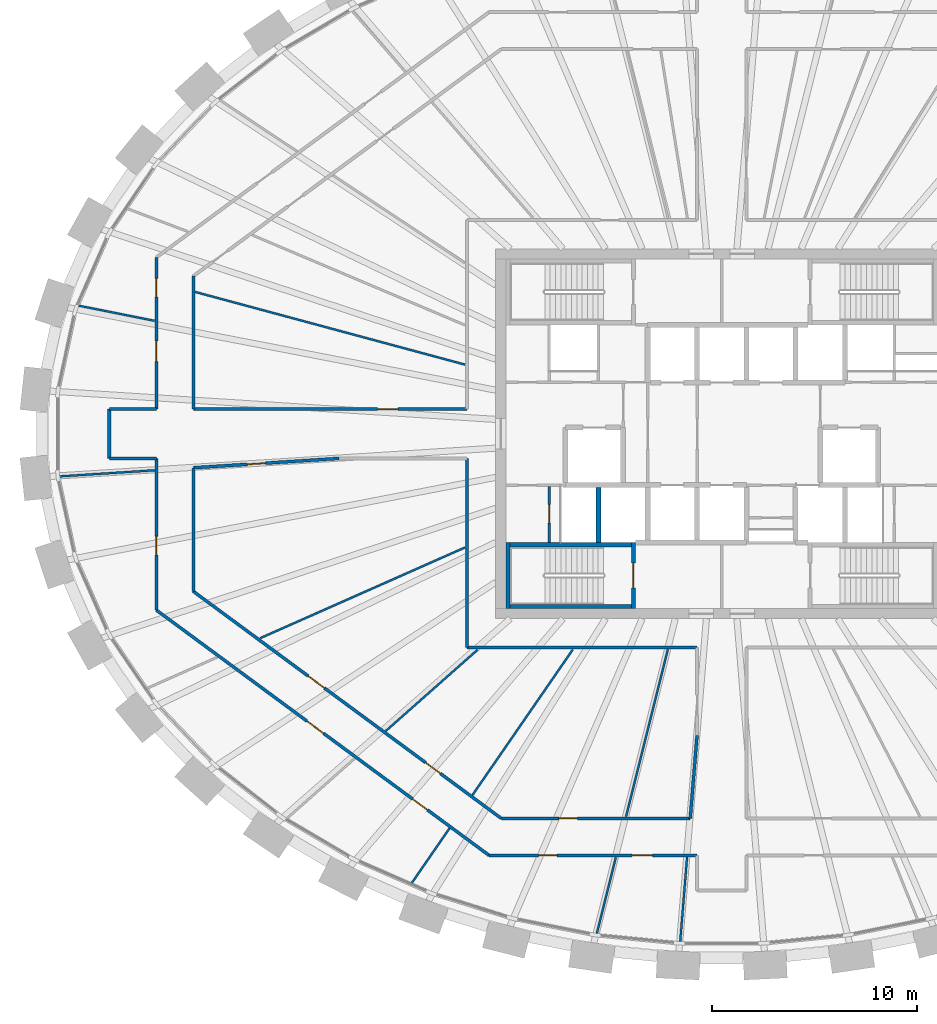
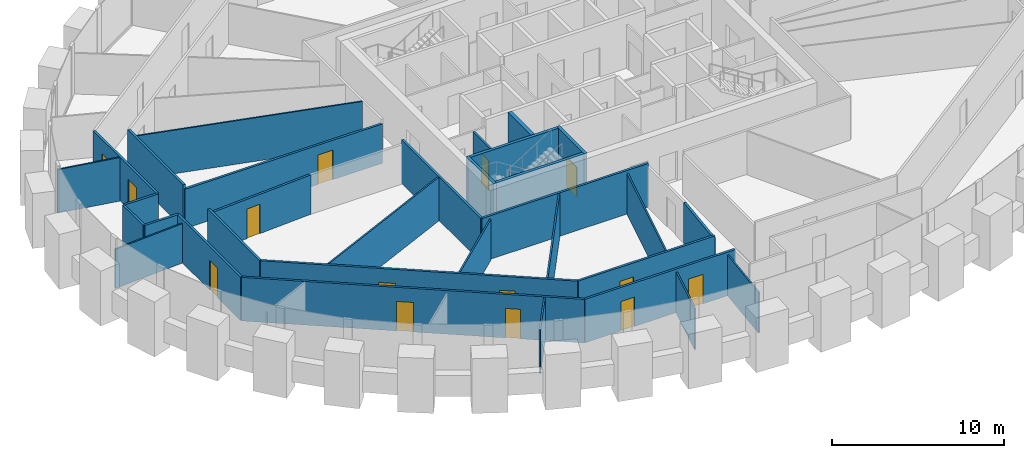
# One storey, part 6 of 12: 32 walls, 14 doors, 14 openings.
"""IFC4 building model written with IfcOpenShell, lengths in metres."""

from ifc_helpers import new_model, si_unit, direction, frame, frame_2d, origin, place, context, subcontext, project, spatial, rectangle, extrude, source, transform, mapped, material, layer, layer_set, type_object, element, fill, save


model = new_model("IFC4")

# Units and contexts
model_context = context("Model", 3, precision=1e-05, world=origin(), true_north=direction((0.0, 1.0)))
body_context = subcontext(model_context, "Body", "Model", "MODEL_VIEW")
ifc_project = project(units=[si_unit("LENGTHUNIT", "METRE"), si_unit("AREAUNIT", "SQUARE_METRE"), si_unit("VOLUMEUNIT", "CUBIC_METRE"), si_unit("PLANEANGLEUNIT", "RADIAN"), si_unit("MASSUNIT", "GRAM", prefix="KILO")], contexts=[model_context])

# Site, building, storey
site_placement = place(None, origin())
site = spatial("IfcSite", under=ifc_project, at=site_placement, CompositionType="ELEMENT")
building_placement = place(site_placement, origin())
building = spatial("IfcBuilding", under=site, at=building_placement, Name="Embergate Tower", CompositionType="ELEMENT")
storey_placement = place(building_placement, frame((0.0, 0.0, 250.0)))
storey = spatial("IfcBuildingStorey", under=building, at=storey_placement, Name="L57", CompositionType="ELEMENT", Elevation=250.0)

# Walls
ifc_material_1 = material(Name="Concrete C50", Category="concrete")
ifc_layer_1 = layer(ifc_material_1, 0.25)
ifc_layer_set_1 = layer_set([ifc_layer_1], Name="Concrete C50")
wall_type_1 = type_object("IfcWallType", Name="Hoistway wall reinforced concrete 250", PredefinedType="SHEAR", material=ifc_layer_set_1)
shared_shape_1 = source(origin(), body_context, "Body", "SweptSolid", [
    extrude(rectangle(XDim=2.675048828125, YDim=0.25, at=frame_2d((1.33740234375, 0.0))), origin(), (0.0, 0.0, 1.0), 3.699951171875),
])
wall_1_placement = place(storey_placement, frame((-6.0, -5.300048828125, 0.0), z_axis=(0.0, 0.0, 1.0), x_axis=(0.0, 1.0, 0.0)))
element("IfcWall", 1, at=wall_1_placement, inside=storey, type_object=wall_type_1, Name="HW-1 wall", PredefinedType="SHEAR", context=body_context, shape_type="MappedRepresentation", body=[
    mapped(shared_shape_1, transform((0.0, 0.0, 0.0))),
])
ifc_layer_2 = layer(ifc_material_1, 0.199951171875)
ifc_layer_set_2 = layer_set([ifc_layer_2], Name="Concrete C50")
wall_type_2 = type_object("IfcWallType", Name="Stair enclosure wall reinforced concrete 250", PredefinedType="SHEAR", material=ifc_layer_set_2)
shared_shape_2 = source(origin(), body_context, "Body", "SweptSolid", [
    extrude(rectangle(XDim=6.300048828125, YDim=0.199951171875, at=frame_2d((3.14990234375, 0.0))), origin(), (0.0, 0.0, 1.0), 3.699951171875),
])
wall_2_placement = place(storey_placement, frame((-10.5, -5.39990234375, 0.0), z_axis=(0.0, 0.0, 1.0), x_axis=(1.0, 0.0, 0.0)))
element("IfcWall", 2, at=wall_2_placement, inside=storey, type_object=wall_type_2, Name="SE-1 wall", PredefinedType="SHEAR", context=body_context, shape_type="MappedRepresentation", body=[
    mapped(shared_shape_2, transform((0.0, 0.0, 0.0))),
])

# Wall, opening, door
ifc_material_2 = material(Name="Core partition blockwork 120")
ifc_layer_3 = layer(ifc_material_2, 0.1201171875)
ifc_layer_set_3 = layer_set([ifc_layer_3], Name="Core partition blockwork 120")
wall_type_3 = type_object("IfcWallType", Name="Core partition blockwork 120", PredefinedType="PARTITIONING", material=ifc_layer_set_3)
shared_shape_3 = source(origin(), body_context, "Body", "SweptSolid", [
    extrude(rectangle(XDim=2.739990234375, YDim=0.1201171875, at=frame_2d((1.3701171875, 0.0))), origin(), (0.0, 0.0, 1.0), 3.10009765625),
])
wall_3_placement = place(storey_placement, frame((-8.39990234375, -2.56005859375, 0.0), z_axis=(0.0, 0.0, 1.0), x_axis=(0.0, -1.0, 0.0)))
wall_3 = element("IfcWall", 3, at=wall_3_placement, inside=storey, type_object=wall_type_3, Name="IP-3 wall", PredefinedType="PARTITIONING", context=body_context, shape_type="MappedRepresentation", body=[
    mapped(shared_shape_3, transform((0.0, 0.0, 0.0))),
])
shared_shape_4 = source(origin(), body_context, "Body", "SweptSolid", [
    extrude(rectangle(XDim=0.89990234375, YDim=2.10009765625, at=frame_2d((0.449951171875, 1.050048828125))), frame((0.0, 0.070068359375, 0.0), z_axis=(0.0, -1.0, 0.0), x_axis=(1.0, 0.0, 0.0)), (0.0, 0.0, 1.0), 0.14013671875),
])
opening_1_placement = place(wall_3_placement, frame((0.889892578125, 0.0, 0.0)))
opening_1 = element("IfcOpeningElement", 4, at=opening_1_placement, cuts=wall_3, Name="Opening ID-1", PredefinedType="OPENING", context=body_context, shape_type="MappedRepresentation", body=[
    mapped(shared_shape_4, transform((0.0, 0.0, 0.0))),
])
ifc_material_3 = material(Name="Interior door 900")
door_type_1 = type_object("IfcDoorType", Name="Interior door 900", OperationType="SINGLE_SWING_LEFT", PredefinedType="DOOR", material=ifc_material_3)
shared_shape_5 = source(origin(), body_context, "Body", "SweptSolid", [
    extrude(rectangle(XDim=0.89990234375, YDim=2.10009765625, at=frame_2d((0.449951171875, 1.050048828125))), frame((0.0, 0.02490234375, 0.0), z_axis=(0.0, -1.0, 0.0), x_axis=(1.0, 0.0, 0.0)), (0.0, 0.0, 1.0), 0.050048828125),
])
door_1_placement = place(opening_1_placement, origin())
door_1 = element("IfcDoor", 5, at=door_1_placement, inside=storey, type_object=door_type_1, Name="ID-1 door", OperationType="SINGLE_SWING_LEFT", OverallHeight=2.10009765625, OverallWidth=0.89990234375, PredefinedType="DOOR", context=body_context, shape_type="MappedRepresentation", body=[
    mapped(shared_shape_5, transform((0.0, 0.0, 0.0))),
])
fill(opening_1, door_1)

shared_shape_6 = source(origin(), body_context, "Body", "SweptSolid", [
    extrude(rectangle(XDim=3.199951171875, YDim=0.199951171875, at=frame_2d((1.60009765625, 0.0))), origin(), (0.0, 0.0, 1.0), 3.699951171875),
])
wall_4_placement = place(storey_placement, frame((-4.300048828125, -8.5, 0.0), z_axis=(0.0, 0.0, 1.0), x_axis=(0.0, 1.0, 0.0)))
wall_4 = element("IfcWall", 6, at=wall_4_placement, inside=storey, type_object=wall_type_2, Name="SE-1 wall", PredefinedType="SHEAR", context=body_context, shape_type="MappedRepresentation", body=[
    mapped(shared_shape_6, transform((0.0, 0.0, 0.0))),
])
shared_shape_7 = source(origin(), body_context, "Body", "SweptSolid", [
    extrude(rectangle(XDim=1.199951171875, YDim=2.10009765625, at=frame_2d((0.60009765625, 1.050048828125))), frame((0.0, 0.10986328125, 0.0), z_axis=(0.0, -1.0, 0.0), x_axis=(1.0, 0.0, 0.0)), (0.0, 0.0, 1.0), 0.219970703125),
])
opening_2_placement = place(wall_4_placement, frame((1.0, 0.0, 0.0)))
opening_2 = element("IfcOpeningElement", 7, at=opening_2_placement, cuts=wall_4, Name="Opening IF-2", PredefinedType="OPENING", context=body_context, shape_type="MappedRepresentation", body=[
    mapped(shared_shape_7, transform((0.0, 0.0, 0.0))),
])
ifc_material_4 = material(Name="Stair enclosure door 1200")
door_type_2 = type_object("IfcDoorType", Name="Stair enclosure door 1200", OperationType="SINGLE_SWING_LEFT", PredefinedType="DOOR", material=ifc_material_4)
shared_shape_8 = source(origin(), body_context, "Body", "SweptSolid", [
    extrude(rectangle(XDim=1.199951171875, YDim=2.10009765625, at=frame_2d((0.60009765625, 1.050048828125))), frame((0.0, 0.02490234375, 0.0), z_axis=(0.0, -1.0, 0.0), x_axis=(1.0, 0.0, 0.0)), (0.0, 0.0, 1.0), 0.050048828125),
])
door_2_placement = place(opening_2_placement, origin())
door_2 = element("IfcDoor", 8, at=door_2_placement, inside=storey, type_object=door_type_2, Name="IF-2 door", OperationType="SINGLE_SWING_RIGHT", OverallHeight=2.10009765625, OverallWidth=1.199951171875, PredefinedType="DOOR", context=body_context, shape_type="MappedRepresentation", body=[
    mapped(shared_shape_8, transform((0.0, 0.0, 0.0))),
])
fill(opening_2, door_2)

# Walls
ifc_material_5 = material(Name="Corridor wall dry-lined 150")
ifc_layer_4 = layer(ifc_material_5, 0.14990234375)
ifc_layer_set_4 = layer_set([ifc_layer_4], Name="Corridor wall dry-lined 150")
wall_type_4 = type_object("IfcWallType", Name="Corridor wall dry-lined 150", PredefinedType="PARTITIONING", material=ifc_layer_set_4)
shared_shape_9 = source(origin(), body_context, "Body", "SweptSolid", [
    extrude(rectangle(XDim=4.04638671875, YDim=0.14990234375, at=frame_2d((2.023193359375, 0.0))), origin(), (0.0, 0.0, 1.0), 2.89990234375),
])
wall_5_placement = place(storey_placement, frame((-1.199951171875, -14.68505859375, 0.0), z_axis=(0.0, 0.0, 1.0), x_axis=(-0.081572392455, -0.996667419348, 0.0)))
element("IfcWall", 9, at=wall_5_placement, inside=storey, type_object=wall_type_4, Name="IP-2 wall", PredefinedType="PARTITIONING", context=body_context, shape_type="MappedRepresentation", body=[
    mapped(shared_shape_9, transform((0.0, 0.0, 0.0))),
])
ifc_material_6 = material(Name="Partition dry-lined 100")
ifc_layer_5 = layer(ifc_material_6, 0.10009765625)
ifc_layer_set_5 = layer_set([ifc_layer_5], Name="Partition dry-lined 100")
wall_type_5 = type_object("IfcWallType", Name="Partition dry-lined 100", PredefinedType="PARTITIONING", material=ifc_layer_set_5)
shared_shape_10 = source(origin(), body_context, "Body", "SweptSolid", [
    extrude(rectangle(XDim=5.968017578125, YDim=0.10009765625, at=frame_2d((2.98388671875, 0.0))), origin(), (0.0, 0.0, 1.0), 2.89990234375),
])
wall_6_placement = place(storey_placement, frame((-11.8798828125, -10.511962890625, 0.0), z_axis=(0.0, 0.0, 1.0), x_axis=(-0.748870055166, -0.662716862979, 0.0)))
element("IfcWall", 10, at=wall_6_placement, inside=storey, type_object=wall_type_5, Name="IP-1 wall", PredefinedType="PARTITIONING", context=body_context, shape_type="MappedRepresentation", body=[
    mapped(shared_shape_10, transform((0.0, 0.0, 0.0))),
])
shared_shape_11 = source(origin(), body_context, "Body", "SweptSolid", [
    extrude(rectangle(XDim=3.901123046875, YDim=0.10009765625, at=frame_2d((1.95068359375, 0.0))), origin(), (0.0, 0.0, 1.0), 2.89990234375),
])
wall_7_placement = place(storey_placement, frame((-5.14697265625, -20.60498046875, 0.0), z_axis=(0.0, 0.0, 1.0), x_axis=(-0.242255835543, -0.970212404655, 0.0)))
element("IfcWall", 11, at=wall_7_placement, inside=storey, type_object=wall_type_5, Name="IP-1 wall", PredefinedType="PARTITIONING", context=body_context, shape_type="MappedRepresentation", body=[
    mapped(shared_shape_11, transform((0.0, 0.0, 0.0))),
])
shared_shape_12 = source(origin(), body_context, "Body", "SweptSolid", [
    extrude(rectangle(XDim=4.206787109375, YDim=0.10009765625, at=frame_2d((2.103515625, 0.0))), origin(), (0.0, 0.0, 1.0), 2.89990234375),
])
wall_8_placement = place(storey_placement, frame((-1.68310546875, -20.592041015625, 0.0), z_axis=(0.0, 0.0, 1.0), x_axis=(-0.081249060301, -0.996693829719, 0.0)))
element("IfcWall", 12, at=wall_8_placement, inside=storey, type_object=wall_type_5, Name="IP-1 wall", PredefinedType="PARTITIONING", context=body_context, shape_type="MappedRepresentation", body=[
    mapped(shared_shape_12, transform((0.0, 0.0, 0.0))),
])
shared_shape_13 = source(origin(), body_context, "Body", "SweptSolid", [
    extrude(rectangle(XDim=8.39453125, YDim=0.10009765625, at=frame_2d((4.197265625, 0.0))), origin(), (0.0, 0.0, 1.0), 2.89990234375),
])
wall_9_placement = place(storey_placement, frame((-2.618896484375, -10.487060546875, 0.0), z_axis=(0.0, 0.0, 1.0), x_axis=(-0.242439819477, -0.970166446509, 0.0)))
element("IfcWall", 13, at=wall_9_placement, inside=storey, type_object=wall_type_5, Name="IP-1 wall", PredefinedType="PARTITIONING", context=body_context, shape_type="MappedRepresentation", body=[
    mapped(shared_shape_13, transform((0.0, 0.0, 0.0))),
])
shared_shape_14 = source(origin(), body_context, "Body", "SweptSolid", [
    extrude(rectangle(XDim=6.298095703125, YDim=0.199951171875, at=frame_2d((3.14892578125, 0.0))), origin(), (0.0, 0.0, 1.0), 3.699951171875),
])
wall_10_placement = place(storey_placement, frame((-10.5, -8.39990234375, 0.0), z_axis=(0.0, 0.0, 1.0), x_axis=(1.0, 0.0, 0.0)))
element("IfcWall", 14, at=wall_10_placement, inside=storey, type_object=wall_type_2, Name="SE-1 wall", PredefinedType="SHEAR", context=body_context, shape_type="MappedRepresentation", body=[
    mapped(shared_shape_14, transform((0.0, 0.0, 0.0))),
])
shared_shape_15 = source(origin(), body_context, "Body", "SweptSolid", [
    extrude(rectangle(XDim=3.197998046875, YDim=0.199951171875, at=frame_2d((1.59912109375, 0.0))), origin(), (0.0, 0.0, 1.0), 3.699951171875),
])
wall_11_placement = place(storey_placement, frame((-10.39990234375, -5.302001953125, 0.0), z_axis=(0.0, 0.0, 1.0), x_axis=(0.0, -1.0, 0.0)))
element("IfcWall", 15, at=wall_11_placement, inside=storey, type_object=wall_type_2, Name="SE-1 wall", PredefinedType="SHEAR", context=body_context, shape_type="MappedRepresentation", body=[
    mapped(shared_shape_15, transform((0.0, 0.0, 0.0))),
])

# Wall, opening, door
shared_shape_16 = source(origin(), body_context, "Body", "SweptSolid", [
    extrude(rectangle(XDim=7.381103515625, YDim=0.14990234375, at=frame_2d((3.6904296875, 0.0))), origin(), (0.0, 0.0, 1.0), 3.10009765625),
])
wall_12_placement = place(storey_placement, frame((-27.510986328125, -1.199951171875, 0.0), z_axis=(0.0, 0.0, 1.0), x_axis=(0.0, -1.0, 0.0)))
wall_12 = element("IfcWall", 16, at=wall_12_placement, inside=storey, type_object=wall_type_4, Name="IP-2 wall", PredefinedType="PARTITIONING", context=body_context, shape_type="MappedRepresentation", body=[
    mapped(shared_shape_16, transform((0.0, 0.0, 0.0))),
])
shared_shape_17 = source(origin(), body_context, "Body", "SweptSolid", [
    extrude(rectangle(XDim=0.89990234375, YDim=2.10009765625, at=frame_2d((0.449951171875, 1.050048828125))), frame((0.0, 0.0849609375, 0.0), z_axis=(0.0, -1.0, 0.0), x_axis=(1.0, 0.0, 0.0)), (0.0, 0.0, 1.0), 0.169921875),
])
opening_3_placement = place(wall_12_placement, frame((3.7900390625, 0.0, 0.0)))
opening_3 = element("IfcOpeningElement", 17, at=opening_3_placement, cuts=wall_12, Name="Opening IF-1c", PredefinedType="OPENING", context=body_context, shape_type="MappedRepresentation", body=[
    mapped(shared_shape_17, transform((0.0, 0.0, 0.0))),
])
ifc_material_7 = material(Name="Escape fire door 900")
door_type_3 = type_object("IfcDoorType", Name="Escape fire door 900", OperationType="SINGLE_SWING_LEFT", PredefinedType="DOOR", material=ifc_material_7)
door_3_placement = place(opening_3_placement, origin())
door_3 = element("IfcDoor", 18, at=door_3_placement, inside=storey, type_object=door_type_3, Name="IF-1 door", OperationType="SINGLE_SWING_RIGHT", OverallHeight=2.10009765625, OverallWidth=0.89990234375, PredefinedType="DOOR", context=body_context, shape_type="MappedRepresentation", body=[
    mapped(shared_shape_5, transform((0.0, 0.0, 0.0))),
])
fill(opening_3, door_3)

# Wall, openings, doors
wall_13_placement = place(storey_placement, frame((-27.510986328125, 1.199951171875, 0.0), z_axis=(0.0, 0.0, 1.0), x_axis=(0.0, 1.0, 0.0)))
wall_13 = element("IfcWall", 19, at=wall_13_placement, inside=storey, type_object=wall_type_4, Name="IP-2 wall", PredefinedType="PARTITIONING", context=body_context, shape_type="MappedRepresentation", body=[
    mapped(shared_shape_16, transform((0.0, 0.0, 0.0))),
])
opening_4_placement = place(wall_13_placement, frame((5.4599609375, 0.0, 0.0)))
opening_4 = element("IfcOpeningElement", 20, at=opening_4_placement, cuts=wall_13, Name="Opening IF-1c", PredefinedType="OPENING", context=body_context, shape_type="MappedRepresentation", body=[
    mapped(shared_shape_17, transform((0.0, 0.0, 0.0))),
])
shared_shape_18 = source(origin(), body_context, "Body", "SweptSolid", [
    extrude(rectangle(XDim=1.0, YDim=2.10009765625, at=frame_2d((0.5, 1.050048828125))), frame((0.0, 0.0849609375, 0.0), z_axis=(0.0, -1.0, 0.0), x_axis=(1.0, 0.0, 0.0)), (0.0, 0.0, 1.0), 0.169921875),
])
opening_5_placement = place(wall_13_placement, frame((2.31005859375, 0.0, 0.0)))
opening_5 = element("IfcOpeningElement", 21, at=opening_5_placement, cuts=wall_13, Name="Opening ID-2", PredefinedType="OPENING", context=body_context, shape_type="MappedRepresentation", body=[
    mapped(shared_shape_18, transform((0.0, 0.0, 0.0))),
])
door_4_placement = place(opening_4_placement, origin())
door_4 = element("IfcDoor", 22, at=door_4_placement, inside=storey, type_object=door_type_3, Name="IF-1 door", OperationType="SINGLE_SWING_LEFT", OverallHeight=2.10009765625, OverallWidth=0.89990234375, PredefinedType="DOOR", context=body_context, shape_type="MappedRepresentation", body=[
    mapped(shared_shape_5, transform((0.0, 0.0, 0.0))),
])
fill(opening_4, door_4)
ifc_material_8 = material(Name="Interior door 1000")
door_type_4 = type_object("IfcDoorType", Name="Interior door 1000", OperationType="SINGLE_SWING_LEFT", PredefinedType="DOOR", material=ifc_material_8)
shared_shape_19 = source(origin(), body_context, "Body", "SweptSolid", [
    extrude(rectangle(XDim=1.0, YDim=2.10009765625, at=frame_2d((0.5, 1.050048828125))), frame((0.0, 0.02490234375, 0.0), z_axis=(0.0, -1.0, 0.0), x_axis=(1.0, 0.0, 0.0)), (0.0, 0.0, 1.0), 0.050048828125),
])
door_5_placement = place(opening_5_placement, origin())
door_5 = element("IfcDoor", 23, at=door_5_placement, inside=storey, type_object=door_type_4, Name="ID-2 door", OperationType="SINGLE_SWING_LEFT", OverallHeight=2.10009765625, OverallWidth=1.0, PredefinedType="DOOR", context=body_context, shape_type="MappedRepresentation", body=[
    mapped(shared_shape_19, transform((0.0, 0.0, 0.0))),
])
fill(opening_5, door_5)

shared_shape_20 = source(origin(), body_context, "Body", "SweptSolid", [
    extrude(rectangle(XDim=20.116455078125, YDim=0.14990234375, at=frame_2d((10.05810546875, 0.0))), origin(), (0.0, 0.0, 1.0), 3.10009765625),
])
wall_14_placement = place(storey_placement, frame((-27.510986328125, -8.5810546875, 0.0), z_axis=(0.0, 0.0, 1.0), x_axis=(0.804910001979, -0.593396906559, 0.0)))
wall_14 = element("IfcWall", 24, at=wall_14_placement, inside=storey, type_object=wall_type_4, Name="IP-2 wall", PredefinedType="PARTITIONING", context=body_context, shape_type="MappedRepresentation", body=[
    mapped(shared_shape_20, transform((0.0, 0.0, 0.0))),
])
opening_6_placement = place(wall_14_placement, frame((9.1064453125, 0.0, 0.0)))
opening_6 = element("IfcOpeningElement", 25, at=opening_6_placement, cuts=wall_14, Name="Opening ID-2", PredefinedType="OPENING", context=body_context, shape_type="MappedRepresentation", body=[
    mapped(shared_shape_18, transform((0.0, 0.0, 0.0))),
])
opening_7_placement = place(wall_14_placement, frame((15.489990234375, 0.0, 0.0)))
opening_7 = element("IfcOpeningElement", 26, at=opening_7_placement, cuts=wall_14, Name="Opening IF-1c", PredefinedType="OPENING", context=body_context, shape_type="MappedRepresentation", body=[
    mapped(shared_shape_17, transform((0.0, 0.0, 0.0))),
])
door_6_placement = place(opening_7_placement, origin())
door_6 = element("IfcDoor", 27, at=door_6_placement, inside=storey, type_object=door_type_3, Name="IF-1 door", OperationType="SINGLE_SWING_LEFT", OverallHeight=2.10009765625, OverallWidth=0.89990234375, PredefinedType="DOOR", context=body_context, shape_type="MappedRepresentation", body=[
    mapped(shared_shape_5, transform((0.0, 0.0, 0.0))),
])
fill(opening_7, door_6)
door_7_placement = place(opening_6_placement, origin())
door_7 = element("IfcDoor", 28, at=door_7_placement, inside=storey, type_object=door_type_4, Name="ID-2 door", OperationType="SINGLE_SWING_RIGHT", OverallHeight=2.10009765625, OverallWidth=1.0, PredefinedType="DOOR", context=body_context, shape_type="MappedRepresentation", body=[
    mapped(shared_shape_19, transform((0.0, 0.0, 0.0))),
])
fill(opening_6, door_7)

shared_shape_21 = source(origin(), body_context, "Body", "SweptSolid", [
    extrude(rectangle(XDim=18.615966796875, YDim=0.14990234375, at=frame_2d((9.30810546875, 0.0))), origin(), (0.0, 0.0, 1.0), 3.10009765625),
])
wall_15_placement = place(storey_placement, frame((-10.72705078125, -18.718017578125, 0.0), z_axis=(0.0, 0.0, 1.0), x_axis=(-0.804892640185, 0.593420456149, 0.0)))
wall_15 = element("IfcWall", 29, at=wall_15_placement, inside=storey, type_object=wall_type_4, Name="IP-2 wall", PredefinedType="PARTITIONING", context=body_context, shape_type="MappedRepresentation", body=[
    mapped(shared_shape_21, transform((0.0, 0.0, 0.0))),
])
opening_8_placement = place(wall_15_placement, frame((10.686279296875, 0.0, 0.0)))
opening_8 = element("IfcOpeningElement", 30, at=opening_8_placement, cuts=wall_15, Name="Opening ID-2", PredefinedType="OPENING", context=body_context, shape_type="MappedRepresentation", body=[
    mapped(shared_shape_18, transform((0.0, 0.0, 0.0))),
])
opening_9_placement = place(wall_15_placement, frame((3.68115234375, 0.0, 0.0)))
opening_9 = element("IfcOpeningElement", 31, at=opening_9_placement, cuts=wall_15, Name="Opening IF-1c", PredefinedType="OPENING", context=body_context, shape_type="MappedRepresentation", body=[
    mapped(shared_shape_17, transform((0.0, 0.0, 0.0))),
])
door_8_placement = place(opening_9_placement, origin())
door_8 = element("IfcDoor", 32, at=door_8_placement, inside=storey, type_object=door_type_3, Name="IF-1 door", OperationType="SINGLE_SWING_RIGHT", OverallHeight=2.10009765625, OverallWidth=0.89990234375, PredefinedType="DOOR", context=body_context, shape_type="MappedRepresentation", body=[
    mapped(shared_shape_5, transform((0.0, 0.0, 0.0))),
])
fill(opening_9, door_8)
door_9_placement = place(opening_8_placement, origin())
door_9 = element("IfcDoor", 33, at=door_9_placement, inside=storey, type_object=door_type_4, Name="ID-2 door", OperationType="SINGLE_SWING_LEFT", OverallHeight=2.10009765625, OverallWidth=1.0, PredefinedType="DOOR", context=body_context, shape_type="MappedRepresentation", body=[
    mapped(shared_shape_19, transform((0.0, 0.0, 0.0))),
])
fill(opening_8, door_9)

# Wall
shared_shape_22 = source(origin(), body_context, "Body", "SweptSolid", [
    extrude(rectangle(XDim=6.014892578125, YDim=0.14990234375, at=frame_2d((3.00732421875, 0.0))), origin(), (0.0, 0.0, 1.0), 3.10009765625),
])
wall_16_placement = place(storey_placement, frame((-25.7109375, -7.6708984375, 0.0), z_axis=(0.0, 0.0, 1.0), x_axis=(0.0, 1.0, 0.0)))
element("IfcWall", 34, at=wall_16_placement, inside=storey, type_object=wall_type_4, Name="IP-2 wall", PredefinedType="PARTITIONING", context=body_context, shape_type="MappedRepresentation", body=[
    mapped(shared_shape_22, transform((0.0, 0.0, 0.0))),
])

# Wall, opening, door
shared_shape_23 = source(origin(), body_context, "Body", "SweptSolid", [
    extrude(rectangle(XDim=7.095703125, YDim=0.14990234375, at=frame_2d((3.5478515625, 0.0))), origin(), (0.0, 0.0, 1.0), 2.800048828125),
])
wall_17_placement = place(storey_placement, frame((-25.7109375, -1.656005859375, 0.0), z_axis=(0.0, 0.0, 1.0), x_axis=(0.997932433773, 0.064271748252, 0.0)))
wall_17 = element("IfcWall", 35, at=wall_17_placement, inside=storey, type_object=wall_type_4, Name="IP-2 wall", PredefinedType="PARTITIONING", context=body_context, shape_type="MappedRepresentation", body=[
    mapped(shared_shape_23, transform((0.0, 0.0, 0.0))),
])
opening_10_placement = place(wall_17_placement, frame((2.625732421875, 0.0, 0.0)))
opening_10 = element("IfcOpeningElement", 36, at=opening_10_placement, cuts=wall_17, Name="Opening IF-1c", PredefinedType="OPENING", context=body_context, shape_type="MappedRepresentation", body=[
    mapped(shared_shape_17, transform((0.0, 0.0, 0.0))),
])
door_10_placement = place(opening_10_placement, origin())
door_10 = element("IfcDoor", 37, at=door_10_placement, inside=storey, type_object=door_type_3, Name="IF-1 door", OperationType="SINGLE_SWING_RIGHT", OverallHeight=2.10009765625, OverallWidth=0.89990234375, PredefinedType="DOOR", context=body_context, shape_type="MappedRepresentation", body=[
    mapped(shared_shape_5, transform((0.0, 0.0, 0.0))),
])
fill(opening_10, door_10)

# Walls
shared_shape_24 = source(origin(), body_context, "Body", "SweptSolid", [
    extrude(rectangle(XDim=9.199951171875, YDim=0.14990234375, at=frame_2d((4.60009765625, 0.0))), origin(), (0.0, 0.0, 1.0), 3.10009765625),
])
wall_18_placement = place(storey_placement, frame((-12.39990234375, -1.199951171875, 0.0), z_axis=(0.0, 0.0, 1.0), x_axis=(0.0, -1.0, 0.0)))
element("IfcWall", 38, at=wall_18_placement, inside=storey, type_object=wall_type_4, Name="IP-2 wall", PredefinedType="PARTITIONING", context=body_context, shape_type="MappedRepresentation", body=[
    mapped(shared_shape_24, transform((0.0, 0.0, 0.0))),
])
shared_shape_25 = source(origin(), body_context, "Body", "SweptSolid", [
    extrude(rectangle(XDim=11.199951171875, YDim=0.14990234375, at=frame_2d((5.60009765625, 0.0))), origin(), (0.0, 0.0, 1.0), 3.10009765625),
])
wall_19_placement = place(storey_placement, frame((-12.39990234375, -10.39990234375, 0.0), z_axis=(0.0, 0.0, 1.0), x_axis=(1.0, 0.0, 0.0)))
element("IfcWall", 39, at=wall_19_placement, inside=storey, type_object=wall_type_4, Name="IP-2 wall", PredefinedType="PARTITIONING", context=body_context, shape_type="MappedRepresentation", body=[
    mapped(shared_shape_25, transform((0.0, 0.0, 0.0))),
])

# Wall, openings, doors
shared_shape_26 = source(origin(), body_context, "Body", "SweptSolid", [
    extrude(rectangle(XDim=10.119140625, YDim=0.14990234375, at=frame_2d((5.0595703125, 0.0))), origin(), (0.0, 0.0, 1.0), 3.10009765625),
])
wall_20_placement = place(storey_placement, frame((-1.199951171875, -20.51806640625, 0.0), z_axis=(0.0, 0.0, 1.0), x_axis=(-1.0, 0.0, 0.0)))
wall_20 = element("IfcWall", 40, at=wall_20_placement, inside=storey, type_object=wall_type_4, Name="IP-2 wall", PredefinedType="PARTITIONING", context=body_context, shape_type="MappedRepresentation", body=[
    mapped(shared_shape_26, transform((0.0, 0.0, 0.0))),
])
opening_11_placement = place(wall_20_placement, frame((6.805908203125, 0.0, 0.0)))
opening_11 = element("IfcOpeningElement", 41, at=opening_11_placement, cuts=wall_20, Name="Opening IF-1c", PredefinedType="OPENING", context=body_context, shape_type="MappedRepresentation", body=[
    mapped(shared_shape_17, transform((0.0, 0.0, 0.0))),
])
opening_12_placement = place(wall_20_placement, frame((2.1630859375, 0.0, 0.0)))
opening_12 = element("IfcOpeningElement", 42, at=opening_12_placement, cuts=wall_20, Name="Opening ID-2", PredefinedType="OPENING", context=body_context, shape_type="MappedRepresentation", body=[
    mapped(shared_shape_18, transform((0.0, 0.0, 0.0))),
])
door_11_placement = place(opening_11_placement, origin())
door_11 = element("IfcDoor", 43, at=door_11_placement, inside=storey, type_object=door_type_3, Name="IF-1 door", OperationType="SINGLE_SWING_LEFT", OverallHeight=2.10009765625, OverallWidth=0.89990234375, PredefinedType="DOOR", context=body_context, shape_type="MappedRepresentation", body=[
    mapped(shared_shape_5, transform((0.0, 0.0, 0.0))),
])
fill(opening_11, door_11)
door_12_placement = place(opening_12_placement, origin())
door_12 = element("IfcDoor", 44, at=door_12_placement, inside=storey, type_object=door_type_4, Name="ID-2 door", OperationType="SINGLE_SWING_LEFT", OverallHeight=2.10009765625, OverallWidth=1.0, PredefinedType="DOOR", context=body_context, shape_type="MappedRepresentation", body=[
    mapped(shared_shape_19, transform((0.0, 0.0, 0.0))),
])
fill(opening_12, door_12)

# Wall, opening, door
shared_shape_27 = source(origin(), body_context, "Body", "SweptSolid", [
    extrude(rectangle(XDim=9.197021484375, YDim=0.14990234375, at=frame_2d((4.5986328125, 0.0))), origin(), (0.0, 0.0, 1.0), 3.10009765625),
])
wall_21_placement = place(storey_placement, frame((-10.72705078125, -18.718017578125, 0.0), z_axis=(0.0, 0.0, 1.0), x_axis=(1.0, 0.0, 0.0)))
wall_21 = element("IfcWall", 45, at=wall_21_placement, inside=storey, type_object=wall_type_4, Name="IP-2 wall", PredefinedType="PARTITIONING", context=body_context, shape_type="MappedRepresentation", body=[
    mapped(shared_shape_27, transform((0.0, 0.0, 0.0))),
])
opening_13_placement = place(wall_21_placement, frame((2.802978515625, 0.0, 0.0)))
opening_13 = element("IfcOpeningElement", 46, at=opening_13_placement, cuts=wall_21, Name="Opening IF-1c", PredefinedType="OPENING", context=body_context, shape_type="MappedRepresentation", body=[
    mapped(shared_shape_17, transform((0.0, 0.0, 0.0))),
])
door_13_placement = place(opening_13_placement, origin())
door_13 = element("IfcDoor", 47, at=door_13_placement, inside=storey, type_object=door_type_3, Name="IF-1 door", OperationType="SINGLE_SWING_RIGHT", OverallHeight=2.10009765625, OverallWidth=0.89990234375, PredefinedType="DOOR", context=body_context, shape_type="MappedRepresentation", body=[
    mapped(shared_shape_5, transform((0.0, 0.0, 0.0))),
])
fill(opening_13, door_13)

# Walls
shared_shape_28 = source(origin(), body_context, "Body", "SweptSolid", [
    extrude(rectangle(XDim=2.39990234375, YDim=0.14990234375, at=frame_2d((1.199951171875, 0.0))), origin(), (0.0, 0.0, 1.0), 3.10009765625),
])
wall_22_placement = place(storey_placement, frame((-29.803955078125, -1.199951171875, 0.0), z_axis=(0.0, 0.0, 1.0), x_axis=(0.0, 1.0, 0.0)))
element("IfcWall", 48, at=wall_22_placement, inside=storey, type_object=wall_type_4, Name="IP-2 wall", PredefinedType="PARTITIONING", context=body_context, shape_type="MappedRepresentation", body=[
    mapped(shared_shape_28, transform((0.0, 0.0, 0.0))),
])
shared_shape_29 = source(origin(), body_context, "Body", "SweptSolid", [
    extrude(rectangle(XDim=2.29296875, YDim=0.14990234375, at=frame_2d((1.146484375, 0.0))), origin(), (0.0, 0.0, 1.0), 3.10009765625),
])
for number, where, z_axis, x_axis, name in (
    (49, (-27.510986328125, -1.199951171875, 0.0), (0.0, 0.0, 1.0), (-1.0, 0.0, 0.0), "IP-2 wall"),
    (50, (-29.803955078125, 1.199951171875, 0.0), (0.0, 0.0, 1.0), (1.0, 0.0, 0.0), "IP-2 wall"),
):
    element("IfcWall", number, at=place(storey_placement, frame(where, z_axis=z_axis, x_axis=x_axis)), inside=storey, type_object=wall_type_4, Name=name, PredefinedType="PARTITIONING", context=body_context, shape_type="MappedRepresentation", body=[
        mapped(shared_shape_29, transform((0.0, 0.0, 0.0))),
    ])
shared_shape_30 = source(origin(), body_context, "Body", "SweptSolid", [
    extrude(rectangle(XDim=6.470947265625, YDim=0.14990234375, at=frame_2d((3.2353515625, 0.0))), origin(), (0.0, 0.0, 1.0), 3.10009765625),
])
wall_23_placement = place(storey_placement, frame((-25.7109375, 7.6708984375, 0.0), z_axis=(0.0, 0.0, 1.0), x_axis=(0.0, -1.0, 0.0)))
element("IfcWall", 51, at=wall_23_placement, inside=storey, type_object=wall_type_4, Name="IP-2 wall", PredefinedType="PARTITIONING", context=body_context, shape_type="MappedRepresentation", body=[
    mapped(shared_shape_30, transform((0.0, 0.0, 0.0))),
])

# Wall, opening, door
shared_shape_31 = source(origin(), body_context, "Body", "SweptSolid", [
    extrude(rectangle(XDim=13.31103515625, YDim=0.14990234375, at=frame_2d((6.655517578125, 0.0))), origin(), (0.0, 0.0, 1.0), 2.800048828125),
])
wall_24_placement = place(storey_placement, frame((-25.7109375, 1.199951171875, 0.0), z_axis=(0.0, 0.0, 1.0), x_axis=(1.0, 0.0, 0.0)))
wall_24 = element("IfcWall", 52, at=wall_24_placement, inside=storey, type_object=wall_type_4, Name="IP-2 wall", PredefinedType="PARTITIONING", context=body_context, shape_type="MappedRepresentation", body=[
    mapped(shared_shape_31, transform((0.0, 0.0, 0.0))),
])
opening_14_placement = place(wall_24_placement, frame((8.96630859375, 0.0, 0.0)))
opening_14 = element("IfcOpeningElement", 53, at=opening_14_placement, cuts=wall_24, Name="Opening ID-2", PredefinedType="OPENING", context=body_context, shape_type="MappedRepresentation", body=[
    mapped(shared_shape_18, transform((0.0, 0.0, 0.0))),
])
door_14_placement = place(opening_14_placement, origin())
door_14 = element("IfcDoor", 54, at=door_14_placement, inside=storey, type_object=door_type_4, Name="ID-2 door", OperationType="SINGLE_SWING_RIGHT", OverallHeight=2.10009765625, OverallWidth=1.0, PredefinedType="DOOR", context=body_context, shape_type="MappedRepresentation", body=[
    mapped(shared_shape_19, transform((0.0, 0.0, 0.0))),
])
fill(opening_14, door_14)

# Walls
shared_shape_32 = source(origin(), body_context, "Body", "SweptSolid", [
    extrude(rectangle(XDim=4.7119140625, YDim=0.10009765625, at=frame_2d((2.35595703125, 0.0))), origin(), (0.0, 0.0, 1.0), 2.800048828125),
])
wall_25_placement = place(storey_placement, frame((-27.5859375, -1.777099609375, 0.0), z_axis=(0.0, 0.0, 1.0), x_axis=(-0.997930567538, -0.064300718293, 0.0)))
element("IfcWall", 55, at=wall_25_placement, inside=storey, type_object=wall_type_5, Name="IP-1 wall", PredefinedType="PARTITIONING", context=body_context, shape_type="MappedRepresentation", body=[
    mapped(shared_shape_32, transform((0.0, 0.0, 0.0))),
])
shared_shape_33 = source(origin(), body_context, "Body", "SweptSolid", [
    extrude(rectangle(XDim=10.894287109375, YDim=0.10009765625, at=frame_2d((5.447265625, 0.0))), origin(), (0.0, 0.0, 1.0), 3.10009765625),
])
wall_26_placement = place(storey_placement, frame((-12.4951171875, -5.534912109375, 0.0), z_axis=(0.0, 0.0, 1.0), x_axis=(-0.914320940178, -0.404990392914, 0.0)))
element("IfcWall", 56, at=wall_26_placement, inside=storey, type_object=wall_type_5, Name="IP-1 wall", PredefinedType="PARTITIONING", context=body_context, shape_type="MappedRepresentation", body=[
    mapped(shared_shape_33, transform((0.0, 0.0, 0.0))),
])
shared_shape_34 = source(origin(), body_context, "Body", "SweptSolid", [
    extrude(rectangle(XDim=3.34716796875, YDim=0.10009765625, at=frame_2d((1.673583984375, 0.0))), origin(), (0.0, 0.0, 1.0), 3.10009765625),
])
wall_27_placement = place(storey_placement, frame((-13.240966796875, -19.194091796875, 0.0), z_axis=(0.0, 0.0, 1.0), x_axis=(-0.567976668544, -0.823044654918, 0.0)))
element("IfcWall", 57, at=wall_27_placement, inside=storey, type_object=wall_type_5, Name="IP-1 wall", PredefinedType="PARTITIONING", context=body_context, shape_type="MappedRepresentation", body=[
    mapped(shared_shape_34, transform((0.0, 0.0, 0.0))),
])
shared_shape_35 = source(origin(), body_context, "Body", "SweptSolid", [
    extrude(rectangle(XDim=8.60693359375, YDim=0.10009765625, at=frame_2d((4.303466796875, 0.0))), origin(), (0.0, 0.0, 1.0), 3.10009765625),
])
wall_28_placement = place(storey_placement, frame((-7.24609375, -10.5029296875, 0.0), z_axis=(0.0, 0.0, 1.0), x_axis=(-0.56779459972, -0.823170269464, 0.0)))
element("IfcWall", 58, at=wall_28_placement, inside=storey, type_object=wall_type_5, Name="IP-1 wall", PredefinedType="PARTITIONING", context=body_context, shape_type="MappedRepresentation", body=[
    mapped(shared_shape_35, transform((0.0, 0.0, 0.0))),
])
shared_shape_36 = source(origin(), body_context, "Body", "SweptSolid", [
    extrude(rectangle(XDim=3.83203125, YDim=0.10009765625, at=frame_2d((1.916015625, 0.0))), origin(), (0.0, 0.0, 1.0), 3.10009765625),
])
wall_29_placement = place(storey_placement, frame((-27.595947265625, 5.49609375, 0.0), z_axis=(0.0, 0.0, 1.0), x_axis=(-0.980710334015, 0.195466725444, 0.0)))
element("IfcWall", 59, at=wall_29_placement, inside=storey, type_object=wall_type_5, Name="IP-1 wall", PredefinedType="PARTITIONING", context=body_context, shape_type="MappedRepresentation", body=[
    mapped(shared_shape_36, transform((0.0, 0.0, 0.0))),
])
shared_shape_37 = source(origin(), body_context, "Body", "SweptSolid", [
    extrude(rectangle(XDim=13.603271484375, YDim=0.10009765625, at=frame_2d((6.8017578125, 0.0))), origin(), (0.0, 0.0, 1.0), 3.10009765625),
])
wall_30_placement = place(storey_placement, frame((-12.488037109375, 3.364013671875, 0.0), z_axis=(0.0, 0.0, 1.0), x_axis=(-0.965583693555, 0.260092542648, 0.0)))
element("IfcWall", 60, at=wall_30_placement, inside=storey, type_object=wall_type_5, Name="IP-1 wall", PredefinedType="PARTITIONING", context=body_context, shape_type="MappedRepresentation", body=[
    mapped(shared_shape_37, transform((0.0, 0.0, 0.0))),
])

save(model, "model.ifc")
